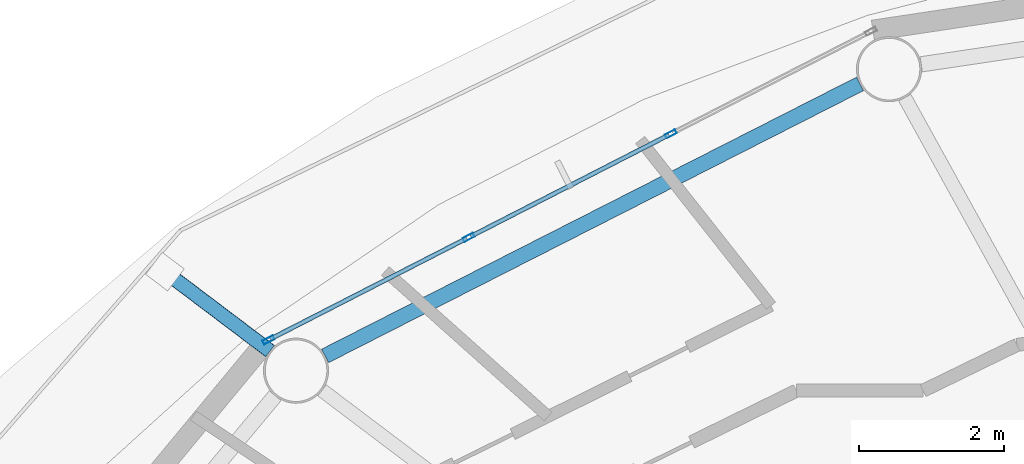
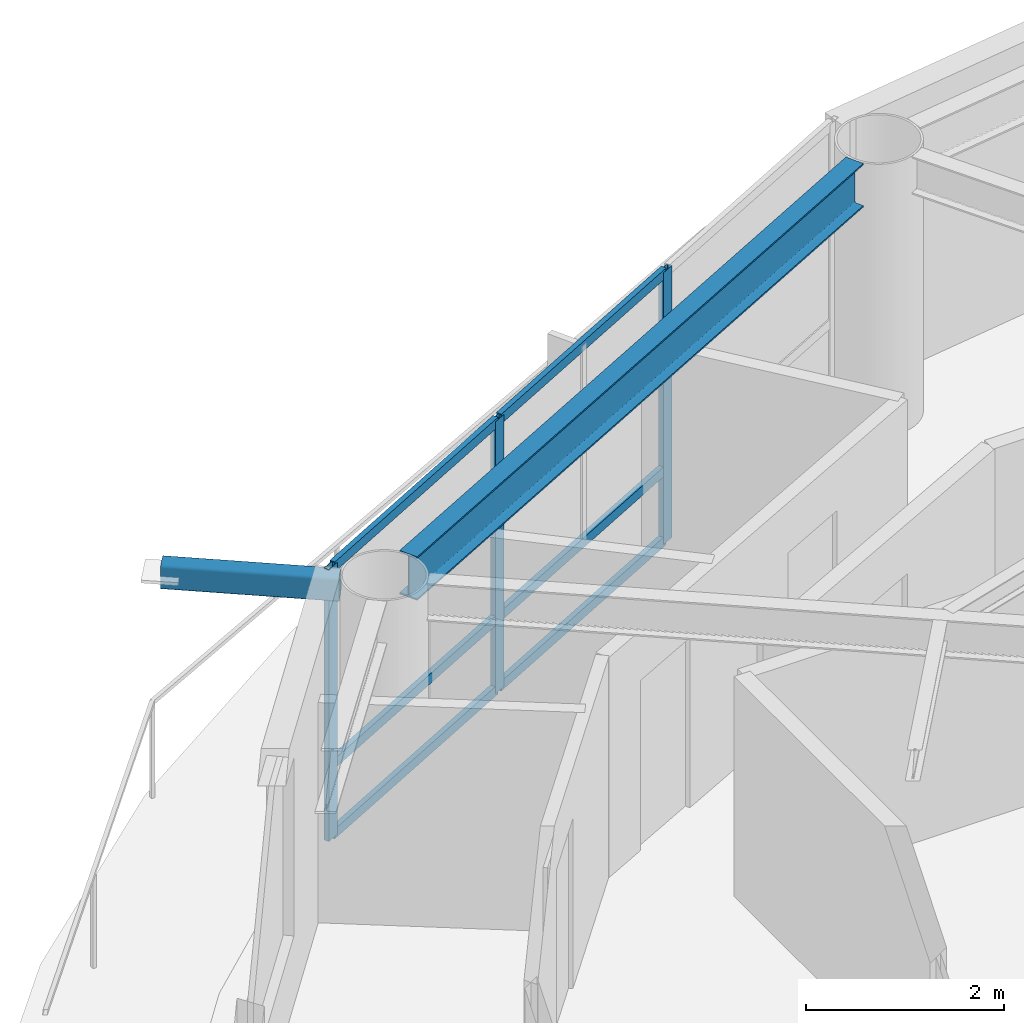
# One storey, part 8 of 23: 10 members, 1 beam, 1 element without a shape of its own.
"""IFC4 building model written with IfcOpenShell, lengths in metres."""

from ifc_helpers import new_model, si_unit, direction, frame, origin, origin_2d, place, context, subcontext, project, spatial, hollow_rectangle, i_section, extrude, material, layer, layer_set, material_profile, profile_set, type_object, element, aggregate, save


model = new_model("IFC4")

# Units and contexts
model_context = context("Model", 3, precision=1e-05, world=origin(), true_north=direction((0.0, 1.0)))
body_context = subcontext(model_context, "Body", "Model", "MODEL_VIEW")
ifc_project = project(units=[si_unit("LENGTHUNIT", "METRE"), si_unit("AREAUNIT", "SQUARE_METRE"), si_unit("VOLUMEUNIT", "CUBIC_METRE"), si_unit("PLANEANGLEUNIT", "RADIAN"), si_unit("MASSUNIT", "GRAM", prefix="KILO")], contexts=[model_context])

# Site, building, storey
site_placement = place(None, origin())
site = spatial("IfcSite", under=ifc_project, at=site_placement, CompositionType="ELEMENT")
building_placement = place(site_placement, origin())
building = spatial("IfcBuilding", under=site, at=building_placement, Name="Sarneth Arch Tower", CompositionType="ELEMENT")
storey_placement = place(building_placement, frame((0.0, 0.0, 228.0)))
storey = spatial("IfcBuildingStorey", under=building, at=storey_placement, Name="L58", CompositionType="ELEMENT", Elevation=228.0)

# Beam
ifc_material_1 = material(Name="Steel S355", Category="steel")
ifc_material_profile_1 = material_profile(ifc_material_1, i_section(OverallWidth=0.2109375, OverallDepth=0.5390625, WebThickness=0.01171875, FlangeThickness=0.018798828125, FilletRadius=0.01806640625, at=origin_2d()), Name="W530x109")
ifc_profile_set_1 = profile_set([ifc_material_profile_1], Name="Steel S355")
beam_type = type_object("IfcBeamType", Name="BM-RAD-530B", PredefinedType="BEAM", material=ifc_profile_set_1)
beam_placement = place(storey_placement, frame((37.80810546875, 59.534423828125, 3.090576171875), z_axis=(-0.891376248079, -0.453264144138, 0.0), x_axis=(0.453264144138, -0.891376248079, 0.0)))
element("IfcBeam", 1, at=beam_placement, inside=storey, type_object=beam_type, Name="L58 Perimeter spandrel beam 06", PredefinedType="BEAM", context=body_context, shape_type="SweptSolid", body=[
    extrude(i_section(OverallWidth=0.2109375, OverallDepth=0.5390625, WebThickness=0.01171875, FlangeThickness=0.018798828125, FilletRadius=0.01806640625, at=origin_2d()), origin(), (0.0, 0.0, 1.0), 8.281982421875),
])

# Curtain wall, members
ifc_material_2 = material(Name="Anodised aluminium Type AA25 and solar-control low-e laminated IGU", Category="aluminium")
ifc_layer = layer(ifc_material_2, 0.179931640625)
ifc_layer_set = layer_set([ifc_layer], Name="Anodised aluminium Type AA25 and solar-control low-e laminated IGU")
curtain_wall_type = type_object("IfcCurtainWallType", Name="CW-RES-HIGH", PredefinedType="NOTDEFINED", material=ifc_layer_set)
curtain_wall_placement = place(storey_placement, origin())
curtain_wall = element("IfcCurtainWall", 2, at=curtain_wall_placement, inside=storey, type_object=curtain_wall_type, Name="L58 Unitised curtain wall facet 06", PredefinedType="NOTDEFINED")
ifc_material_3 = material(Name="Anodised Aluminium 6063-T6", Category="aluminium")
ifc_material_profile_2 = material_profile(ifc_material_3, hollow_rectangle(XDim=0.06005859375, YDim=0.159912109375, WallThickness=0.00390625, at=origin_2d()), Name="AL-MULL-160x60x4")
ifc_profile_set_2 = profile_set([ifc_material_profile_2], Name="Anodised Aluminium 6063-T6")
member_type_1 = type_object("IfcMemberType", Name="CW-MULLION", PredefinedType="MULLION", material=ifc_profile_set_2)
member_1_placement = place(storey_placement, frame((35.197509765625, 58.844970703125, 0.0), z_axis=(0.0, 0.0, 1.0), x_axis=(0.455941901753, -0.890009540525, 0.0)))
member_1 = element("IfcMember", 3, at=member_1_placement, type_object=member_type_1, Name="CW-SYS-6 mullion 2", PredefinedType="MULLION", context=body_context, shape_type="SweptSolid", body=[
    extrude(hollow_rectangle(XDim=0.06005859375, YDim=0.159912109375, WallThickness=0.00390625, at=origin_2d()), origin(), (0.0, 0.0, 1.0), 3.360107421875),
])
member_2_placement = place(storey_placement, frame((32.407470703125, 57.415771484375, 0.0), z_axis=(0.0, 0.0, 1.0), x_axis=(0.455941901753, -0.890009540525, 0.0)))
member_2 = element("IfcMember", 4, at=member_2_placement, type_object=member_type_1, Name="CW-SYS-6 mullion 3", PredefinedType="MULLION", context=body_context, shape_type="SweptSolid", body=[
    extrude(hollow_rectangle(XDim=0.06005859375, YDim=0.159912109375, WallThickness=0.00390625, at=origin_2d()), origin(), (0.0, 0.0, 1.0), 3.360107421875),
])
member_3_placement = place(storey_placement, frame((29.644287109375, 56.000244140625, 0.0), z_axis=(0.0, 0.0, 1.0), x_axis=(0.455941901753, -0.890009540525, 0.0)))
member_3 = element("IfcMember", 5, at=member_3_placement, type_object=member_type_1, Name="CW-SYS-6 mullion 4", PredefinedType="MULLION", context=body_context, shape_type="SweptSolid", body=[
    extrude(hollow_rectangle(XDim=0.06005859375, YDim=0.159912109375, WallThickness=0.00390625, at=origin_2d()), origin(), (0.0, 0.0, 1.0), 3.360107421875),
])
ifc_material_4 = material(Name="Anodised Aluminium 6063-T6", Category="aluminium")
ifc_material_profile_3 = material_profile(ifc_material_4, hollow_rectangle(XDim=0.06005859375, YDim=0.1201171875, WallThickness=0.00390625, at=origin_2d()), Name="AL-TRAN-120x60x4")
ifc_profile_set_3 = profile_set([ifc_material_profile_3], Name="Anodised Aluminium 6063-T6")
member_type_2 = type_object("IfcMemberType", Name="CW-TRANSOM", PredefinedType="USERDEFINED", material=ifc_profile_set_3)
member_4_placement = place(storey_placement, frame((35.170654296875, 58.831298828125, 0.030029296875), z_axis=(-0.890017432405, -0.455926496286, 0.0), x_axis=(0.455926496286, -0.890017432405, 0.0)))
member_4 = element("IfcMember", 6, at=member_4_placement, type_object=member_type_2, Name="CW-SYS-6 transom 2.1", ObjectType="TRANSOM", PredefinedType="USERDEFINED", context=body_context, shape_type="SweptSolid", body=[
    extrude(hollow_rectangle(XDim=0.06005859375, YDim=0.1201171875, WallThickness=0.00390625, at=origin_2d()), origin(), (0.0, 0.0, 1.0), 3.07470703125),
])
member_5_placement = place(storey_placement, frame((35.170654296875, 58.831298828125, 0.89990234375), z_axis=(-0.890017432405, -0.455926496286, 0.0), x_axis=(0.455926496286, -0.890017432405, 0.0)))
member_5 = element("IfcMember", 7, at=member_5_placement, type_object=member_type_2, Name="CW-SYS-6 transom 2.2", ObjectType="TRANSOM", PredefinedType="USERDEFINED", context=body_context, shape_type="SweptSolid", body=[
    extrude(hollow_rectangle(XDim=0.06005859375, YDim=0.1201171875, WallThickness=0.00390625, at=origin_2d()), origin(), (0.0, 0.0, 1.0), 3.07470703125),
])
member_6_placement = place(storey_placement, frame((35.170654296875, 58.831298828125, 3.330078125), z_axis=(-0.890017432405, -0.455926496286, 0.0), x_axis=(0.455926496286, -0.890017432405, 0.0)))
member_6 = element("IfcMember", 8, at=member_6_placement, type_object=member_type_2, Name="CW-SYS-6 transom 2.3", ObjectType="TRANSOM", PredefinedType="USERDEFINED", context=body_context, shape_type="SweptSolid", body=[
    extrude(hollow_rectangle(XDim=0.06005859375, YDim=0.1201171875, WallThickness=0.00390625, at=origin_2d()), origin(), (0.0, 0.0, 1.0), 3.07470703125),
])
member_7_placement = place(storey_placement, frame((32.380859375, 57.402099609375, 0.030029296875), z_axis=(-0.890022732705, -0.455916149384, 0.0), x_axis=(0.455916149384, -0.890022732705, 0.0)))
member_7 = element("IfcMember", 9, at=member_7_placement, type_object=member_type_2, Name="CW-SYS-6 transom 3.1", ObjectType="TRANSOM", PredefinedType="USERDEFINED", context=body_context, shape_type="SweptSolid", body=[
    extrude(hollow_rectangle(XDim=0.06005859375, YDim=0.1201171875, WallThickness=0.00390625, at=origin_2d()), origin(), (0.0, 0.0, 1.0), 3.044921875),
])
member_8_placement = place(storey_placement, frame((32.380859375, 57.402099609375, 0.89990234375), z_axis=(-0.890022732705, -0.455916149384, 0.0), x_axis=(0.455916149384, -0.890022732705, 0.0)))
member_8 = element("IfcMember", 10, at=member_8_placement, type_object=member_type_2, Name="CW-SYS-6 transom 3.2", ObjectType="TRANSOM", PredefinedType="USERDEFINED", context=body_context, shape_type="SweptSolid", body=[
    extrude(hollow_rectangle(XDim=0.06005859375, YDim=0.1201171875, WallThickness=0.00390625, at=origin_2d()), origin(), (0.0, 0.0, 1.0), 3.044921875),
])
member_9_placement = place(storey_placement, frame((32.380859375, 57.402099609375, 3.330078125), z_axis=(-0.890022732705, -0.455916149384, 0.0), x_axis=(0.455916149384, -0.890022732705, 0.0)))
member_9 = element("IfcMember", 11, at=member_9_placement, type_object=member_type_2, Name="CW-SYS-6 transom 3.3", ObjectType="TRANSOM", PredefinedType="USERDEFINED", context=body_context, shape_type="SweptSolid", body=[
    extrude(hollow_rectangle(XDim=0.06005859375, YDim=0.1201171875, WallThickness=0.00390625, at=origin_2d()), origin(), (0.0, 0.0, 1.0), 3.044921875),
])
aggregate(curtain_wall, [member_1, member_2, member_3, member_4, member_5, member_6, member_7, member_8, member_9])

# Member
ifc_material_5 = material(Name="Steel S355", Category="steel")
ifc_material_profile_4 = material_profile(ifc_material_5, hollow_rectangle(XDim=0.199951171875, YDim=0.300048828125, WallThickness=0.012451171875, InnerFilletRadius=0.018798828125, OuterFilletRadius=0.03125, at=origin_2d()), Name="RHS300x200x12.5")
ifc_profile_set_4 = profile_set([ifc_material_profile_4], Name="Steel S355")
member_type_3 = type_object("IfcMemberType", Name="MEM-CANT-STRUT", PredefinedType="STRUT", material=ifc_profile_set_4)
member_10_placement = place(storey_placement, frame((29.665771484375, 55.84765625, 3.199951171875), z_axis=(-0.797964919194, 0.60270389723, 0.0), x_axis=(-0.60270389723, -0.797964919194, 0.0)))
element("IfcMember", 12, at=member_10_placement, inside=storey, type_object=member_type_3, Name="L58 Balcony cantilever bracket 07", PredefinedType="STRUT", context=body_context, shape_type="SweptSolid", body=[
    extrude(hollow_rectangle(XDim=0.199951171875, YDim=0.300048828125, WallThickness=0.012451171875, InnerFilletRadius=0.018798828125, OuterFilletRadius=0.03125, at=origin_2d()), origin(), (0.0, 0.0, 1.0), 1.81787109375),
])

save(model, "model.ifc")
